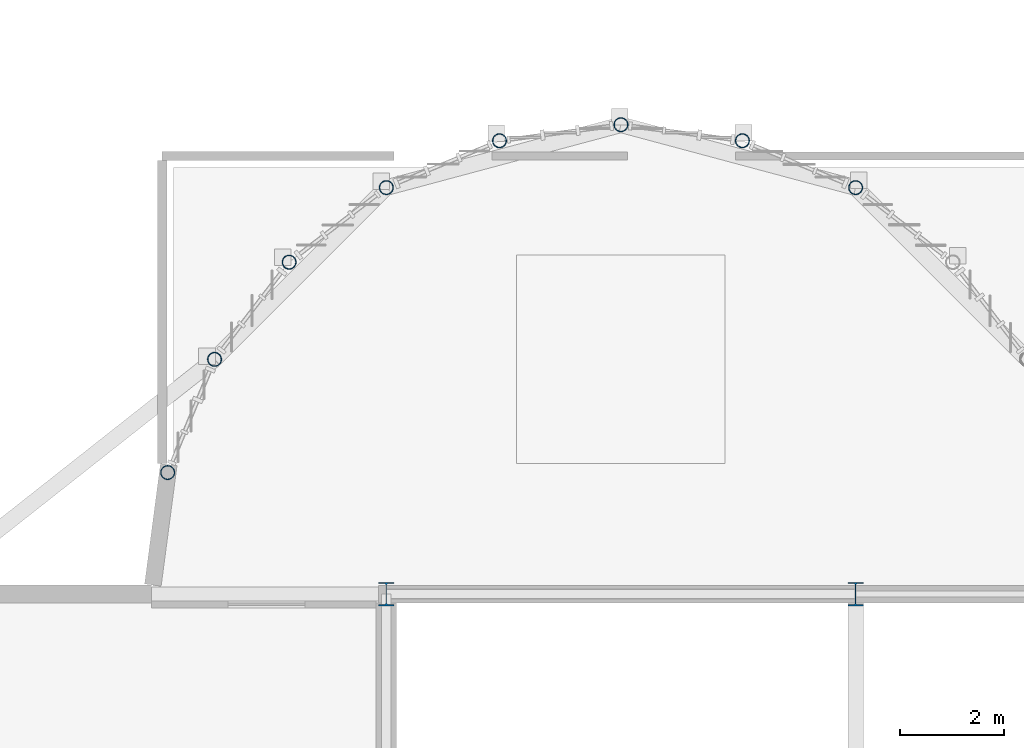
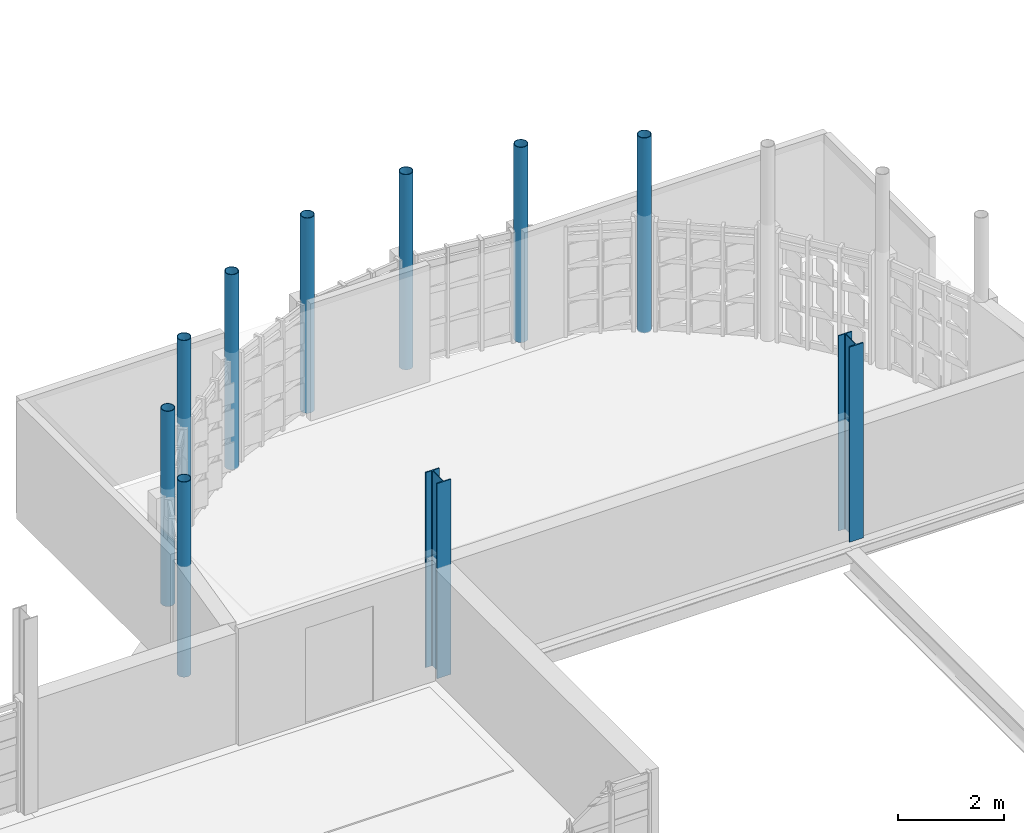
# One storey, part 3 of 44: 10 columns.
"""IFC4 building model written with IfcOpenShell, lengths in metres."""

from ifc_helpers import new_model, si_unit, direction, frame, origin, origin_2d, place, context, subcontext, project, spatial, hollow_circle, i_section, extrude, material, material_profile, profile_set, type_object, element, save


model = new_model("IFC4")

# Units and contexts
model_context = context("Model", 3, precision=1e-05, world=origin(), true_north=direction((0.0, 1.0)))
body_context = subcontext(model_context, "Body", "Model", "MODEL_VIEW")
ifc_project = project(units=[si_unit("LENGTHUNIT", "METRE"), si_unit("AREAUNIT", "SQUARE_METRE"), si_unit("VOLUMEUNIT", "CUBIC_METRE"), si_unit("PLANEANGLEUNIT", "RADIAN"), si_unit("MASSUNIT", "GRAM", prefix="KILO")], contexts=[model_context])

# Site, building, storey
site_placement = place(None, origin())
site = spatial("IfcSite", under=ifc_project, at=site_placement, CompositionType="ELEMENT")
building_placement = place(site_placement, origin())
building = spatial("IfcBuilding", under=site, at=building_placement, Name="Serraforn Aerial Cableway Station", CompositionType="ELEMENT")
storey_placement = place(building_placement, frame((0.0, 0.0, 13.800048828125)))
storey = spatial("IfcBuildingStorey", under=building, at=storey_placement, Name="L03", CompositionType="ELEMENT", Elevation=13.800048828125)

# Columns
ifc_material = material(Name="Steel S355J2", Category="steel")
ifc_material_profile_1 = material_profile(ifc_material, hollow_circle(Radius=0.136474609375, WallThickness=0.012451171875, at=origin_2d()), Name="CHS 273.0x12.5")
ifc_profile_set_1 = profile_set([ifc_material_profile_1], Name="Steel S355J2")
column_type_1 = type_object("IfcColumnType", Name="COL-ST-CHS273", PredefinedType="COLUMN", material=ifc_profile_set_1)
for number, where, z_axis, x_axis, name in (
    (1, (50.40673828125, 44.329345703125, 0.0), (0.0, 0.0, 1.0), (1.0, 0.0, 0.0), "Apse Radial Column L03-1"),
    (2, (51.305908203125, 46.5, 0.0), (0.0, 0.0, 1.0), (1.0, 0.0, 0.0), "Apse Radial Column L03-2"),
    (3, (52.736083984375, 48.364013671875, 0.0), (0.0, 0.0, 1.0), (1.0, 0.0, 0.0), "Apse Radial Column L03-3"),
    (4, (54.60009765625, 49.794189453125, 0.0), (0.0, 0.0, 1.0), (1.0, 0.0, 0.0), "Apse Radial Column L03-4"),
    (5, (56.7705078125, 50.693359375, 0.0), (0.0, 0.0, 1.0), (1.0, 0.0, 0.0), "Apse Radial Column L03-5"),
    (6, (59.10009765625, 51.0, 0.0), (0.0, 0.0, 1.0), (1.0, 0.0, 0.0), "Apse Radial Column L03-6"),
    (7, (61.429443359375, 50.693359375, 0.0), (0.0, 0.0, 1.0), (1.0, 0.0, 0.0), "Apse Radial Column L03-7"),
    (8, (63.60009765625, 49.794189453125, 0.0), (0.0, 0.0, 1.0), (1.0, 0.0, 0.0), "Apse Radial Column L03-8"),
):
    element("IfcColumn", number, at=place(storey_placement, frame(where, z_axis=z_axis, x_axis=x_axis)), inside=storey, type_object=column_type_1, Name=name, PredefinedType="COLUMN", context=body_context, shape_type="SweptSolid", body=[
        extrude(hollow_circle(Radius=0.136474609375, WallThickness=0.012451171875, at=origin_2d()), origin(), (0.0, 0.0, 1.0), 4.5),
    ])
ifc_material_profile_2 = material_profile(ifc_material, i_section(OverallWidth=0.300048828125, OverallDepth=0.449951171875, WebThickness=0.013916015625, FlangeThickness=0.02587890625, FilletRadius=0.027099609375, at=origin_2d()), Name="HEB 450")
ifc_profile_set_2 = profile_set([ifc_material_profile_2], Name="Steel S355J2")
column_type_2 = type_object("IfcColumnType", Name="COL-ST-HEB450", PredefinedType="COLUMN", material=ifc_profile_set_2)
for number, where, z_axis, x_axis, name in (
    (9, (54.60009765625, 42.0, 0.0), (0.0, 0.0, 1.0), (1.0, 0.0, 0.0), "Column CV L03 8-F"),
    (10, (63.60009765625, 42.0, 0.0), (0.0, 0.0, 1.0), (1.0, 0.0, 0.0), "Column CV L03 9-F"),
):
    element("IfcColumn", number, at=place(storey_placement, frame(where, z_axis=z_axis, x_axis=x_axis)), inside=storey, type_object=column_type_2, Name=name, PredefinedType="COLUMN", context=body_context, shape_type="SweptSolid", body=[
        extrude(i_section(OverallWidth=0.300048828125, OverallDepth=0.449951171875, WebThickness=0.013916015625, FlangeThickness=0.02587890625, FilletRadius=0.027099609375, at=origin_2d()), origin(), (0.0, 0.0, 1.0), 4.5),
    ])

save(model, "model.ifc")
